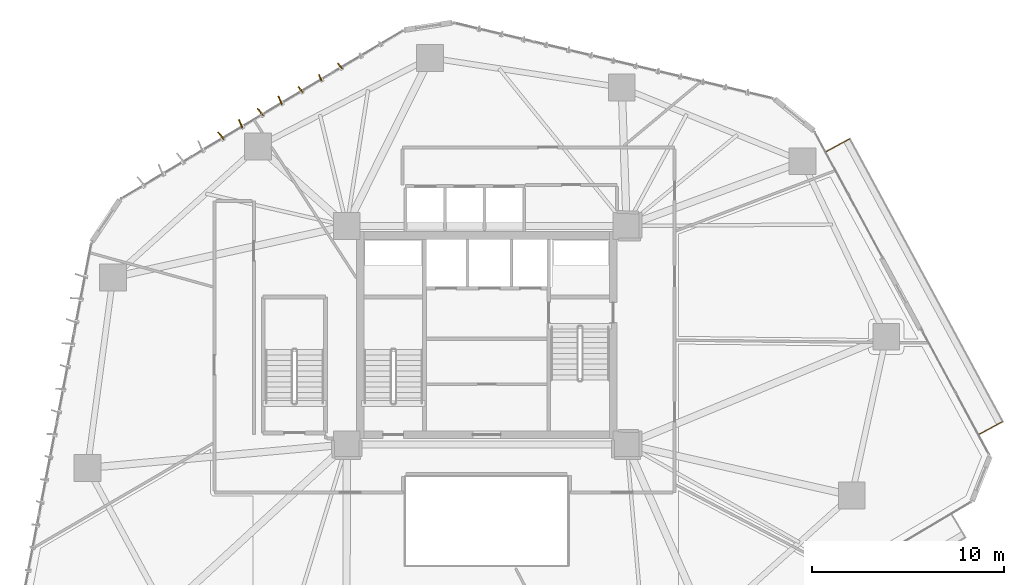
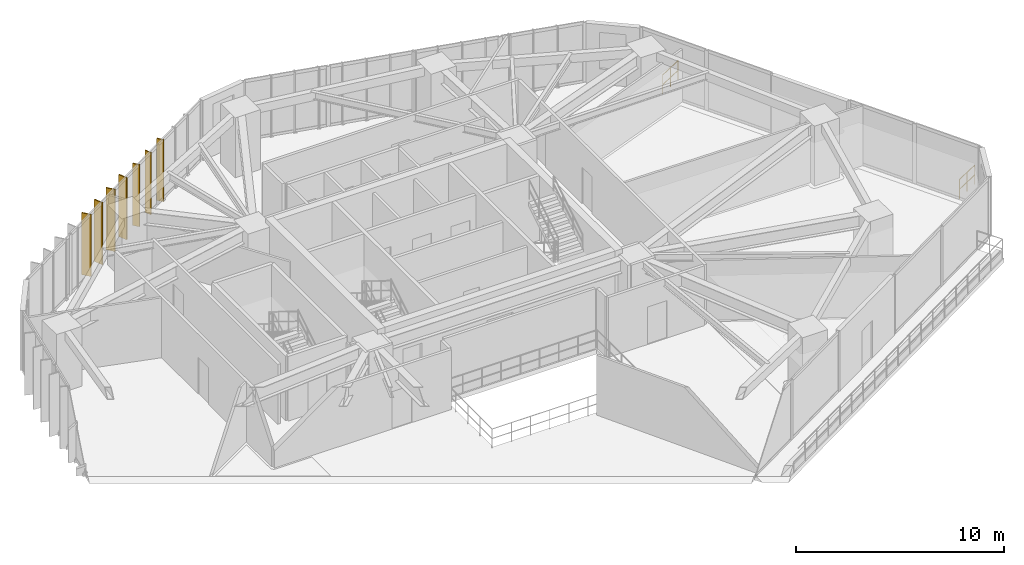
# One storey, part 22 of 23: 7 shading devices, 2 railings.
"""IFC4 building model written with IfcOpenShell, lengths in metres."""

from ifc_helpers import new_model, si_unit, direction, frame, origin, origin_2d, place, context, subcontext, project, spatial, rectangle, circle, extrude, source, transform, mapped, material, layer, layer_set, type_object, type_shapes, element, save


model = new_model("IFC4")

# Units and contexts
model_context = context("Model", 3, precision=1e-05, world=origin(), true_north=direction((0.0, 1.0)))
body_context = subcontext(model_context, "Body", "Model", "MODEL_VIEW")
ifc_project = project(units=[si_unit("LENGTHUNIT", "METRE"), si_unit("AREAUNIT", "SQUARE_METRE"), si_unit("VOLUMEUNIT", "CUBIC_METRE"), si_unit("PLANEANGLEUNIT", "RADIAN"), si_unit("MASSUNIT", "GRAM", prefix="KILO")], contexts=[model_context])

# Site, building, storey
site_placement = place(None, origin())
site = spatial("IfcSite", under=ifc_project, at=site_placement, CompositionType="ELEMENT")
building_placement = place(site_placement, origin())
building = spatial("IfcBuilding", under=site, at=building_placement, Name="Talar Marvaseh", CompositionType="ELEMENT")
storey_placement = place(building_placement, frame((0.0, 0.0, 50.60009765625)))
storey = spatial("IfcBuildingStorey", under=building, at=storey_placement, Name="L12", CompositionType="ELEMENT", Elevation=50.60009765625)

# Railings
ifc_material_1 = material(Name="Tempered Clear Glass", Category="glass")
railing_type = type_object("IfcRailingType", Name="External Laminated Glass Terrace Balustrade 1150", PredefinedType="BALUSTRADE", material=ifc_material_1)
railing_1_placement = place(storey_placement, frame((43.693359375, 40.767578125, 0.0)))
element("IfcRailing", 1, at=railing_1_placement, inside=storey, type_object=railing_type, Name="L12 External Terrace Balustrade 1 1", PredefinedType="BALUSTRADE", context=body_context, shape_type="SweptSolid", body=[
    extrude(circle(Radius=0.02392578125, at=origin_2d()), frame((0.0, 0.0, 1.1259765625), z_axis=(0.879557700175, 0.475792236236, 0.0), x_axis=(-0.475792236236, 0.879557700175, 0.0)), (0.0, 0.0, 1.0), 1.41015625),
    extrude(circle(Radius=0.02392578125, at=origin_2d()), frame((0.0, 0.0, 0.55078125), z_axis=(0.879557700175, 0.475792236236, 0.0), x_axis=(-0.475792236236, 0.879557700175, 0.0)), (0.0, 0.0, 1.0), 1.41015625),
    extrude(circle(Radius=0.02099609375, at=origin_2d()), origin(), (0.0, 0.0, 1.0), 1.101806640625),
    extrude(circle(Radius=0.02099609375, at=origin_2d()), frame((0.6201171875, 0.33544921875, 0.0)), (0.0, 0.0, 1.0), 1.101806640625),
    extrude(circle(Radius=0.02099609375, at=origin_2d()), frame((1.240234375, 0.6708984375, 0.0)), (0.0, 0.0, 1.0), 1.101806640625),
])
railing_2_placement = place(storey_placement, frame((52.9091796875, 26.6904296875, 0.0)))
element("IfcRailing", 2, at=railing_2_placement, inside=storey, type_object=railing_type, Name="L12 External Terrace Balustrade 1 3", PredefinedType="BALUSTRADE", context=body_context, shape_type="SweptSolid", body=[
    extrude(circle(Radius=0.02392578125, at=origin_2d()), frame((0.0, 0.0, 1.1259765625), z_axis=(-0.87963015327, -0.475658273825, 0.0), x_axis=(0.475658273825, -0.87963015327, 0.0)), (0.0, 0.0, 1.0), 1.409912109375),
    extrude(circle(Radius=0.02392578125, at=origin_2d()), frame((0.0, 0.0, 0.55078125), z_axis=(-0.87963015327, -0.475658273825, 0.0), x_axis=(0.475658273825, -0.87963015327, 0.0)), (0.0, 0.0, 1.0), 1.409912109375),
    extrude(circle(Radius=0.02099609375, at=origin_2d()), origin(), (0.0, 0.0, 1.0), 1.101806640625),
    extrude(circle(Radius=0.02099609375, at=origin_2d()), frame((-0.6201171875, -0.33544921875, 0.0)), (0.0, 0.0, 1.0), 1.101806640625),
    extrude(circle(Radius=0.02099609375, at=origin_2d()), frame((-1.240234375, -0.670654296875, 0.0)), (0.0, 0.0, 1.0), 1.101806640625),
])

# Shading devices
ifc_material_2 = material(Name="Anodised Champagne Bronze Aluminium", Category="aluminium")
ifc_layer_1 = layer(ifc_material_2, 0.06494140625)
ifc_layer_set_1 = layer_set([ifc_layer_1], Name="Anodised Champagne Bronze Aluminium")
shading_device_type_1 = type_object("IfcShadingDeviceType", Name="Sawtooth Champagne Bronze Vertical Fin 360", PredefinedType="USERDEFINED", material=ifc_layer_set_1)
shared_shape_1 = source(origin(), body_context, "Body", "SweptSolid", [
    extrude(rectangle(XDim=0.360107421875, YDim=0.06494140625, at=origin_2d()), origin(), (0.0, 0.0, 1.0), 3.639892578125),
])
type_shapes(shading_device_type_1, [shared_shape_1])
for number, where, z_axis, x_axis, name in (
    (3, (16.2861328125, 44.019287109375, -0.1201171875), (0.0, 0.0, 1.0), (-0.626875813454, 0.779119191464, 0.0), "L12 Sawtooth Vertical Solar Fin"),
    (4, (17.316650390625, 44.634033203125, -0.1201171875), (0.0, 0.0, 1.0), (-0.387837353782, 0.92172782697, 0.0), "L12 Sawtooth Vertical Solar Fin"),
    (5, (18.347412109375, 45.248779296875, -0.1201171875), (0.0, 0.0, 1.0), (-0.626875813454, 0.779119191464, 0.0), "L12 Sawtooth Vertical Solar Fin"),
):
    element("IfcShadingDevice", number, at=place(storey_placement, frame(where, z_axis=z_axis, x_axis=x_axis)), inside=storey, type_object=shading_device_type_1, Name=name, ObjectType="FIN", PredefinedType="USERDEFINED", context=body_context, shape_type="MappedRepresentation", body=[
        mapped(shared_shape_1, transform((0.0, 0.0, 0.0), x_axis=(1.0, 0.0, 0.0), y_axis=(0.0, 1.0, 0.0), z_axis=(0.0, 0.0, 1.0), scale=1.0)),
    ])
ifc_layer_2 = layer(ifc_material_2, 0.06494140625)
ifc_layer_set_2 = layer_set([ifc_layer_2], Name="Anodised Champagne Bronze Aluminium")
shading_device_type_2 = type_object("IfcShadingDeviceType", Name="Sawtooth Champagne Bronze Vertical Fin 480", PredefinedType="USERDEFINED", material=ifc_layer_set_2)
shared_shape_2 = source(origin(), body_context, "Body", "SweptSolid", [
    extrude(rectangle(XDim=0.47998046875, YDim=0.06494140625, at=origin_2d()), origin(), (0.0, 0.0, 1.0), 3.639892578125),
])
type_shapes(shading_device_type_2, [shared_shape_2])
for number, where, z_axis, x_axis, name in (
    (6, (12.13330078125, 41.611572265625, -0.1201171875), (0.0, 0.0, 1.0), (-0.626875813454, 0.779119191464, 0.0), "L12 Sawtooth Vertical Solar Fin"),
    (7, (13.163818359375, 42.226318359375, -0.1201171875), (0.0, 0.0, 1.0), (-0.387837353782, 0.92172782697, 0.0), "L12 Sawtooth Vertical Solar Fin"),
    (8, (14.1943359375, 42.84130859375, -0.1201171875), (0.0, 0.0, 1.0), (-0.626875813454, 0.779119191464, 0.0), "L12 Sawtooth Vertical Solar Fin"),
    (9, (15.224853515625, 43.4560546875, -0.1201171875), (0.0, 0.0, 1.0), (-0.387837353782, 0.92172782697, 0.0), "L12 Sawtooth Vertical Solar Fin"),
):
    element("IfcShadingDevice", number, at=place(storey_placement, frame(where, z_axis=z_axis, x_axis=x_axis)), inside=storey, type_object=shading_device_type_2, Name=name, ObjectType="FIN", PredefinedType="USERDEFINED", context=body_context, shape_type="MappedRepresentation", body=[
        mapped(shared_shape_2, transform((0.0, 0.0, 0.0), x_axis=(1.0, 0.0, 0.0), y_axis=(0.0, 1.0, 0.0), z_axis=(0.0, 0.0, 1.0), scale=1.0)),
    ])

save(model, "model.ifc")
